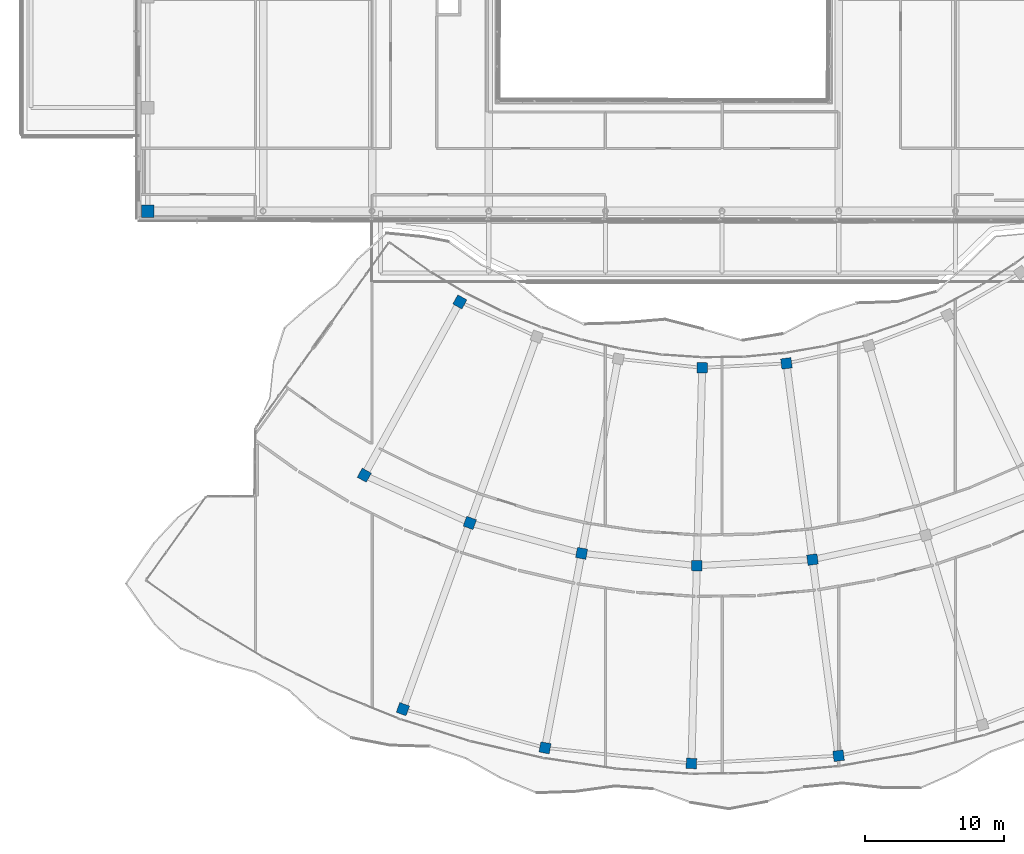
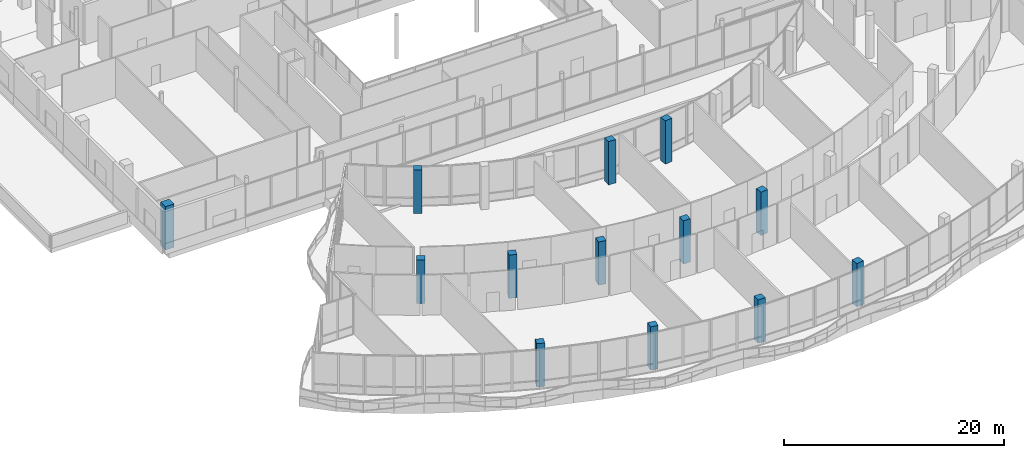
# One storey, part 1 of 168: 13 columns.
"""IFC4 building model written with IfcOpenShell, lengths in metres."""

import ifcopenshell
import ifcopenshell.guid

model = None  # the IFC model being written
_history = None  # IfcOwnerHistory: only IFC2X3 demands one
_inside = {}  # id of a spatial element -> (the spatial element, [elements in it])
_under = {}  # id of a project, library or spatial element -> (it, [spatial elements below it])
_declared = {}  # id of a project -> (the project, [libraries it declares])
_typed = {}  # id of a type object -> (the type object, [elements of that type])
_made_of = {}  # id of a material, layer set ... -> (it, [elements and type objects made of it])


def new_model(schema):
    """Start an empty IFC model of exactly this schema.

    Asked for "IFC4X3", IfcOpenShell would pick the latest addendum, in which some entities
    have other attributes; the version numbers below select the first issue.
    IFC2X3 requires an IfcOwnerHistory on every rooted entity: one is made here for all.
    """
    global model, _history
    if schema == "IFC4X3":
        model = ifcopenshell.file(schema_version=(4, 3, 0, 0))
    else:
        model = ifcopenshell.file(schema=schema)
    _inside.clear()
    _under.clear()
    _declared.clear()
    _typed.clear()
    _made_of.clear()
    _history = None
    if model.schema == "IFC2X3":
        org = make("IfcOrganization", Name="unknown")
        user = make(
            "IfcPersonAndOrganization",
            ThePerson=make("IfcPerson", FamilyName="unknown"),
            TheOrganization=org,
        )
        app = make(
            "IfcApplication",
            ApplicationDeveloper=org,
            Version="unknown",
            ApplicationFullName="unknown",
            ApplicationIdentifier="unknown",
        )
        _history = make(
            "IfcOwnerHistory",
            OwningUser=user,
            OwningApplication=app,
            ChangeAction="ADDED",
            CreationDate=0,
        )
    return model


def make(cls, **values):
    """One entity of the class cls with the attributes given. An attribute that is None is left unset."""
    return model.create_entity(
        cls, **{name: value for name, value in values.items() if value is not None}
    )


def rooted(cls, **values):
    """An entity with a GlobalId (a new one), such as an element, a storey or a relation."""
    return make(cls, GlobalId=ifcopenshell.guid.new(), OwnerHistory=_history, **values)


def si_unit(unit_type, name, prefix=None):
    """IfcSIUnit, for example si_unit("LENGTHUNIT", "METRE", prefix="MILLI")."""
    return make("IfcSIUnit", UnitType=unit_type, Prefix=prefix, Name=name)


def assignment(units):
    """IfcUnitAssignment: the units of a project."""
    return None if units is None else make("IfcUnitAssignment", Units=units)


def point(xyz):
    """IfcCartesianPoint."""
    return None if xyz is None else make("IfcCartesianPoint", Coordinates=xyz)


def direction(xyz):
    """IfcDirection."""
    return None if xyz is None else make("IfcDirection", DirectionRatios=xyz)


def frame(location, z_axis=None, x_axis=None):
    """IfcAxis2Placement3D, a coordinate frame: its origin and axes. An axis left out is left unset."""
    return make(
        "IfcAxis2Placement3D",
        Location=point(location),
        Axis=direction(z_axis),
        RefDirection=direction(x_axis),
    )


def frame_2d(location, x_axis=None):
    """IfcAxis2Placement2D, a coordinate frame in the plane: its origin and x axis."""
    return make(
        "IfcAxis2Placement2D", Location=point(location), RefDirection=direction(x_axis)
    )


def origin():
    """The frame at (0, 0, 0) with its axes left unset."""
    return frame((0.0, 0.0, 0.0))


def origin_2d():
    """The frame at (0, 0) in the plane with its x axis left unset."""
    return frame_2d((0.0, 0.0))


def place(relative_to, where):
    """IfcLocalPlacement: puts the frame where relative to a parent placement (None: the world)."""
    return make(
        "IfcLocalPlacement", PlacementRelTo=relative_to, RelativePlacement=where
    )


def context(
    kind, dimensions, precision=None, world=None, true_north=None, identifier=None
):
    """IfcGeometricRepresentationContext, for example the 3D "Model" context."""
    return make(
        "IfcGeometricRepresentationContext",
        ContextIdentifier=identifier,
        ContextType=kind,
        CoordinateSpaceDimension=dimensions,
        Precision=precision,
        WorldCoordinateSystem=world,
        TrueNorth=true_north,
    )


def subcontext(parent, identifier, kind, view, scale=None):
    """IfcGeometricRepresentationSubContext, for example "Body" below "Model"."""
    return make(
        "IfcGeometricRepresentationSubContext",
        ContextIdentifier=identifier,
        ContextType=kind,
        ParentContext=parent,
        TargetScale=scale,
        TargetView=view,
    )


def project(units=None, contexts=None):
    """IfcProject with its units and contexts."""
    return rooted(
        "IfcProject",
        Name="project",
        RepresentationContexts=contexts,
        UnitsInContext=assignment(units),
    )


def spatial(cls, under=None, at=None, **own):
    """A site, building, storey or space (cls), placed at a placement, below another one or the project."""
    s = rooted(cls, ObjectPlacement=at, **own)
    if under is not None:
        _under.setdefault(under.id(), (under, []))[1].append(s)
    return s


def profile(cls, at=None, kind="AREA", **sizes):
    """A parametric profile (cls). Its sizes go by their IFC names, for example OverallWidth=200.0."""
    return make(cls, ProfileType=kind, Position=at, **sizes)


def rectangle(**sizes):
    """IfcRectangleProfileDef."""
    return profile("IfcRectangleProfileDef", **sizes)


def extrude(swept, where, along, depth):
    """IfcExtrudedAreaSolid: the profile swept, set in the frame where, extruded along a direction by depth."""
    return make(
        "IfcExtrudedAreaSolid",
        SweptArea=swept,
        Position=where,
        ExtrudedDirection=direction(along),
        Depth=depth,
    )


def shape(context_of_items, identifier, shape_type, items):
    """IfcShapeRepresentation: the items that make up one representation, for example the "Body"."""
    return make(
        "IfcShapeRepresentation",
        ContextOfItems=context_of_items,
        RepresentationIdentifier=identifier,
        RepresentationType=shape_type,
        Items=items,
    )


def material(Name=None, Category=None):
    """IfcMaterial."""
    return make("IfcMaterial", Name=Name, Category=Category)


def material_profile(
    of_material, cross_section, Name=None, Category=None, Priority=None
):
    """IfcMaterialProfile: a cross section and its material."""
    return make(
        "IfcMaterialProfile",
        Name=Name,
        Material=of_material,
        Profile=cross_section,
        Priority=Priority,
        Category=Category,
    )


def profile_set(profiles, Name=None, composite=None):
    """IfcMaterialProfileSet."""
    return make(
        "IfcMaterialProfileSet",
        Name=Name,
        MaterialProfiles=profiles,
        CompositeProfile=composite,
    )


def made_of(thing, what):
    """Note that an element or type object is made of a material, layer set ...; save() writes the relation."""
    if what is not None:
        _made_of.setdefault(what.id(), (what, []))[1].append(thing)
    return thing


def type_object(cls, material=None, **own):
    """A type object (cls), such as IfcWallType, which elements share."""
    return made_of(rooted(cls, **own), material)


def element(
    cls,
    number,
    at=None,
    inside=None,
    cuts=None,
    type_object=None,
    material=None,
    context=None,
    identifier="Body",
    shape_type=None,
    held_by="IfcProductDefinitionShape",
    body=None,
    shapes=None,
    **own,
):
    """One element of the class cls, such as IfcWall. Its Tag is "e" and its number.

    at: its placement. inside: the storey or other place that contains it. cuts: it is an
    opening in that element (IfcRelVoidsElement). A single representation is given by context,
    identifier, shape_type and body (its items); several are given by shapes. held_by: the class
    of the entity that holds the representations. save() writes the other relations.
    """
    e = rooted(cls, Tag="e%d" % number, ObjectPlacement=at, **own)
    if body is not None:
        shapes = [shape(context, identifier, shape_type, body)]
    if shapes is not None:
        e.Representation = make(held_by, Representations=shapes)
    if inside is not None:
        _inside.setdefault(inside.id(), (inside, []))[1].append(e)
    if cuts is not None:
        rooted(
            "IfcRelVoidsElement", RelatingBuildingElement=cuts, RelatedOpeningElement=e
        )
    if type_object is not None:
        _typed.setdefault(type_object.id(), (type_object, []))[1].append(e)
    return made_of(e, material)


def aggregate(whole, parts):
    """IfcRelAggregates: a whole, such as a stair, and the parts it consists of."""
    return rooted("IfcRelAggregates", RelatingObject=whole, RelatedObjects=parts)


def save(model, path):
    """Write the relations noted so far, then the file.

    IfcRelAggregates (storeys below a building ...), IfcRelContainedInSpatialStructure (elements
    in a storey), IfcRelDefinesByType, IfcRelAssociatesMaterial and IfcRelDeclares: one each for
    every whole, place, type object, material and project.
    """
    for whole, parts in _under.values():
        aggregate(whole, parts)
    for where, things in _inside.values():
        rooted(
            "IfcRelContainedInSpatialStructure",
            RelatedElements=things,
            RelatingStructure=where,
        )
    for kind, things in _typed.values():
        rooted("IfcRelDefinesByType", RelatedObjects=things, RelatingType=kind)
    for what, things in _made_of.values():
        rooted("IfcRelAssociatesMaterial", RelatedObjects=things, RelatingMaterial=what)
    for by, libraries in _declared.values():
        rooted("IfcRelDeclares", RelatingContext=by, RelatedDefinitions=libraries)
    model.write(path)


model = new_model("IFC4")

# Units and contexts
model_context = context("Model", 3, precision=1e-05, world=origin(), true_north=direction((0.0, 1.0)))
body_context = subcontext(model_context, "Body", "Model", "MODEL_VIEW")
ifc_project = project(units=[si_unit("LENGTHUNIT", "METRE"), si_unit("AREAUNIT", "SQUARE_METRE"), si_unit("VOLUMEUNIT", "CUBIC_METRE"), si_unit("PLANEANGLEUNIT", "RADIAN"), si_unit("MASSUNIT", "GRAM", prefix="KILO")], contexts=[model_context])

# Site, building, storey
site_placement = place(None, origin())
site = spatial("IfcSite", under=ifc_project, at=site_placement, CompositionType="ELEMENT")
building_placement = place(site_placement, origin())
building = spatial("IfcBuilding", under=site, at=building_placement, Name="Selatvlak General Hospital", CompositionType="ELEMENT")
storey_placement = place(building_placement, frame((0.0, 0.0, 5.39990234375)))
storey = spatial("IfcBuildingStorey", under=building, at=storey_placement, Name="L01", CompositionType="ELEMENT", Elevation=5.39990234375)

# Columns
ifc_material = material(Name="Concrete C50/60", Category="concrete")
ifc_material_profile_1 = material_profile(ifc_material, rectangle(XDim=0.75, YDim=0.75, at=origin_2d()), Name="RC-COL 750x750")
ifc_profile_set_1 = profile_set([ifc_material_profile_1], Name="Concrete C50/60")
column_type_1 = type_object("IfcColumnType", Name="COL-RC75", PredefinedType="COLUMN", material=ifc_profile_set_1)
for number, where, z_axis, x_axis, name in (
    (1, (37.52099609375, 46.009033203125, 0.0), (0.0, 0.0, 1.0), (0.483007324118, 0.875616311434, 0.0), "Column 314 on L01"),
    (2, (30.637939453125, 33.531982421875, 0.0), (0.0, 0.0, 1.0), (0.483007324118, 0.875616311434, 0.0), "Column 315 on L01"),
    (3, (38.239013671875, 30.095947265625, 0.0), (0.0, 0.0, 1.0), (0.338261654325, 0.941052099096, 0.0), "Column 317 on L01"),
    (4, (33.4189453125, 16.68603515625, 0.0), (0.0, 0.0, 1.0), (0.338261654325, 0.941052099096, 0.0), "Column 318 on L01"),
    (5, (46.2880859375, 27.906005859375, 0.0), (0.0, 0.0, 1.0), (0.184997729111, 0.982738948156, 0.0), "Column 320 on L01"),
    (6, (43.652099609375, 13.902099609375, 0.0), (0.0, 0.0, 1.0), (0.184997729111, 0.982738948156, 0.0), "Column 321 on L01"),
    (7, (54.968017578125, 41.262939453125, 0.0), (0.0, 0.0, 1.0), (0.027066750718, 0.999633628389, 0.0), "Column 322 on L01"),
    (8, (54.58203125, 27.01904296875, 0.0), (0.0, 0.0, 1.0), (0.027066750718, 0.999633628389, 0.0), "Column 323 on L01"),
    (9, (54.196044921875, 12.77490234375, 0.0), (0.0, 0.0, 1.0), (0.027066750718, 0.999633628389, 0.0), "Column 324 on L01"),
    (10, (61.034912109375, 41.5830078125, 0.0), (0.0, 0.0, 1.0), (-0.131737372908, 0.991284653659, 0.0), "Column 325 on L01"),
    (11, (62.912109375, 27.45703125, 0.0), (0.0, 0.0, 1.0), (-0.131737372908, 0.991284653659, 0.0), "Column 326 on L01"),
    (12, (64.7890625, 13.3310546875, 0.0), (0.0, 0.0, 1.0), (-0.131737372908, 0.991284653659, 0.0), "Column 327 on L01"),
):
    element("IfcColumn", number, at=place(storey_placement, frame(where, z_axis=z_axis, x_axis=x_axis)), inside=storey, type_object=column_type_1, Name=name, PredefinedType="COLUMN", context=body_context, shape_type="SweptSolid", body=[
        extrude(rectangle(XDim=0.75, YDim=0.75, at=origin_2d()), origin(), (0.0, 0.0, 1.0), 4.800048828125),
    ])
ifc_material_profile_2 = material_profile(ifc_material, rectangle(XDim=0.89990234375, YDim=0.89990234375, at=origin_2d()), Name="RC-COL 900x900")
ifc_profile_set_2 = profile_set([ifc_material_profile_2], Name="Concrete C50/60")
column_type_2 = type_object("IfcColumnType", Name="COL-RC90", PredefinedType="COLUMN", material=ifc_profile_set_2)
column_placement = place(storey_placement, frame((15.050048828125, 52.550048828125, 0.0), z_axis=(0.0, 0.0, 1.0), x_axis=(1.0, 0.0, 0.0)))
element("IfcColumn", 13, at=column_placement, inside=storey, type_object=column_type_2, Name="Column 060 on L01", PredefinedType="COLUMN", context=body_context, shape_type="SweptSolid", body=[
    extrude(rectangle(XDim=0.89990234375, YDim=0.89990234375, at=origin_2d()), origin(), (0.0, 0.0, 1.0), 4.800048828125),
])

save(model, "model.ifc")
